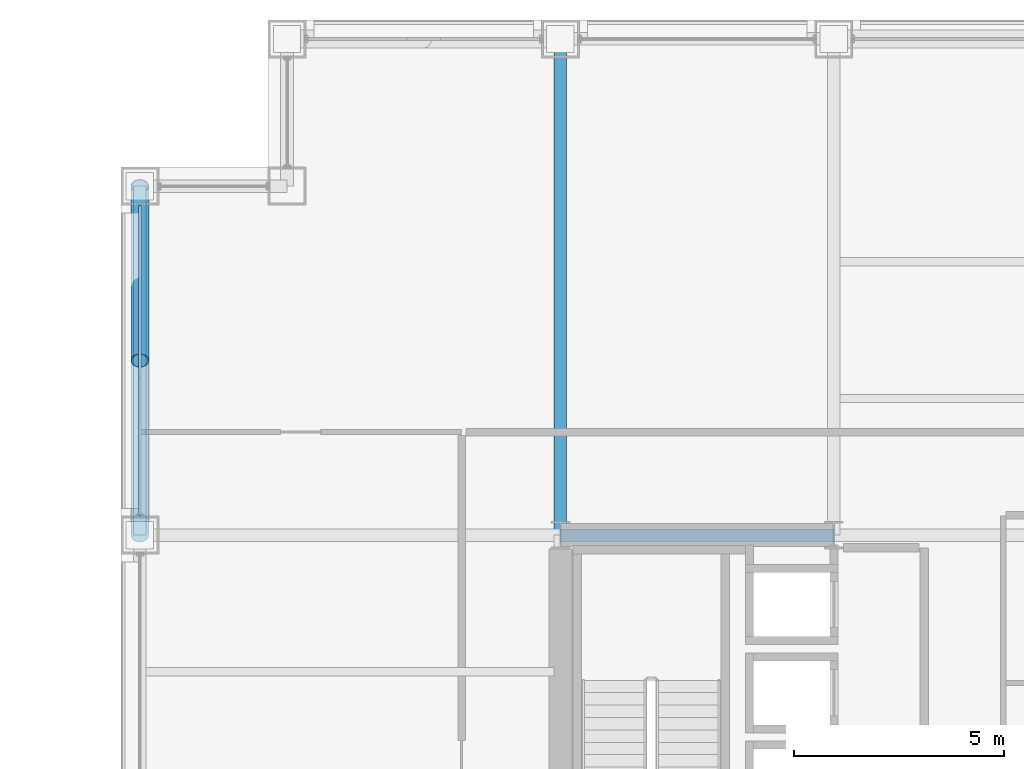
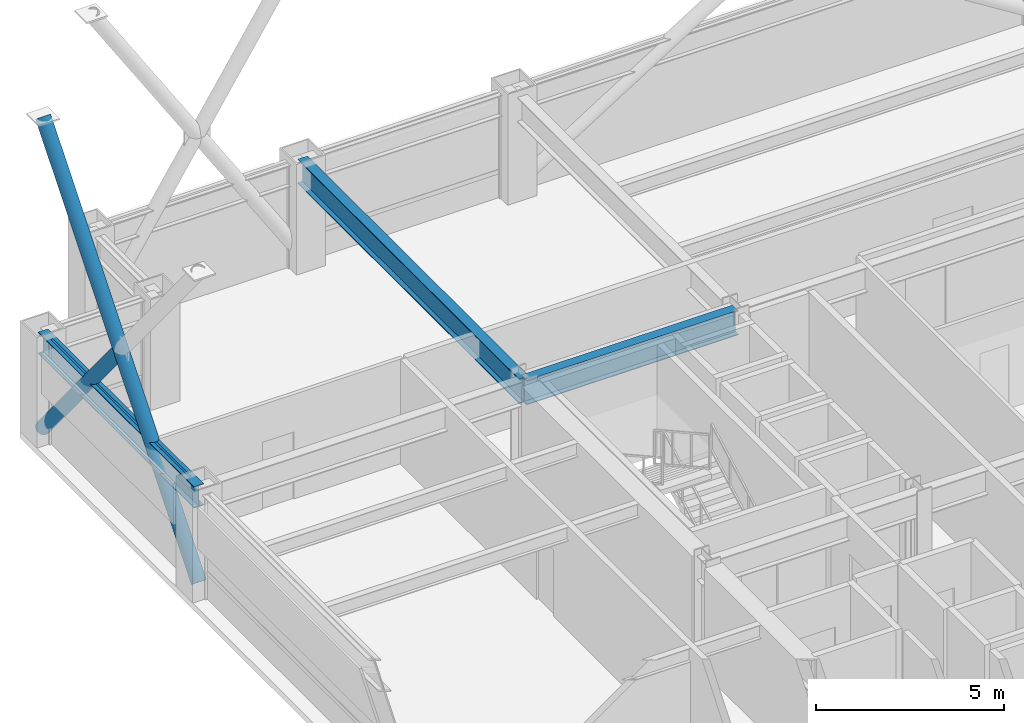
# One storey, part 15 of 30: 3 beams, 3 members, 1 element without a shape of its own.
"""IFC4 building model written with IfcOpenShell, lengths in metres."""

from ifc_helpers import new_model, si_unit, direction, frame, origin, origin_2d, place, context, subcontext, project, spatial, hollow_rectangle, hollow_circle, i_section, extrude, material, layer, layer_set, material_profile, profile_set, type_object, element, aggregate, save


model = new_model("IFC4")

# Units and contexts
model_context = context("Model", 3, precision=1e-05, world=origin(), true_north=direction((0.0, 1.0)))
body_context = subcontext(model_context, "Body", "Model", "MODEL_VIEW")
ifc_project = project(units=[si_unit("LENGTHUNIT", "METRE"), si_unit("AREAUNIT", "SQUARE_METRE"), si_unit("VOLUMEUNIT", "CUBIC_METRE"), si_unit("PLANEANGLEUNIT", "RADIAN"), si_unit("MASSUNIT", "GRAM", prefix="KILO")], contexts=[model_context])

# Site, building, storey
site_placement = place(None, origin())
site = spatial("IfcSite", under=ifc_project, at=site_placement, CompositionType="ELEMENT")
building_placement = place(site_placement, origin())
building = spatial("IfcBuilding", under=site, at=building_placement, Name="Brelmoor Portico Tower", CompositionType="ELEMENT")
storey_placement = place(building_placement, frame((0.0, 0.0, 56.39990234375)))
storey = spatial("IfcBuildingStorey", under=building, at=storey_placement, Name="L14", CompositionType="ELEMENT", Elevation=56.39990234375)

# Beams
ifc_material_1 = material(Name="Steel Q355B", Category="steel")
ifc_material_profile_1 = material_profile(ifc_material_1, i_section(OverallWidth=0.300048828125, OverallDepth=0.800048828125, WebThickness=0.013916015625, FlangeThickness=0.02587890625, at=origin_2d()), Name="HN 800x300x14x26")
ifc_profile_set_1 = profile_set([ifc_material_profile_1], Name="Steel Q355B")
beam_type_1 = type_object("IfcBeamType", Name="BM-PG-800", PredefinedType="BEAM", material=ifc_profile_set_1)
beam_1_placement = place(storey_placement, frame((-14.550048828125, 9.75, 3.0), z_axis=(0.0, 1.0, 0.0), x_axis=(-1.0, 0.0, 0.0)))
element("IfcBeam", 1, at=beam_1_placement, inside=storey, type_object=beam_type_1, Name="L14 Primary Floor Girder PG-06", PredefinedType="BEAM", context=body_context, shape_type="SweptSolid", body=[
    extrude(i_section(OverallWidth=0.300048828125, OverallDepth=0.800048828125, WebThickness=0.013916015625, FlangeThickness=0.02587890625, at=origin_2d()), origin(), (0.0, 0.0, 1.0), 11.800048828125),
])
beam_2_placement = place(storey_placement, frame((-14.550048828125, 9.75, 3.0), z_axis=(1.0, 0.0, 0.0), x_axis=(0.0, 1.0, 0.0)))
element("IfcBeam", 2, at=beam_2_placement, inside=storey, type_object=beam_type_1, Name="L14 Primary Floor Girder PG-28", PredefinedType="BEAM", context=body_context, shape_type="SweptSolid", body=[
    extrude(i_section(OverallWidth=0.300048828125, OverallDepth=0.800048828125, WebThickness=0.013916015625, FlangeThickness=0.02587890625, at=origin_2d()), origin(), (0.0, 0.0, 1.0), 6.5),
])
ifc_material_profile_2 = material_profile(ifc_material_1, i_section(OverallWidth=0.300048828125, OverallDepth=0.699951171875, WebThickness=0.012939453125, FlangeThickness=0.02392578125, at=origin_2d()), Name="HN 700x300x13x24")
ifc_profile_set_2 = profile_set([ifc_material_profile_2], Name="Steel Q355B")
beam_type_2 = type_object("IfcBeamType", Name="BM-SP-700", PredefinedType="SPANDREL", material=ifc_profile_set_2)
beam_3_placement = place(storey_placement, frame((-24.550048828125, 9.75, 3.050048828125), z_axis=(0.0, 1.0, 0.0), x_axis=(-1.0, 0.0, 0.0)))
element("IfcBeam", 3, at=beam_3_placement, inside=storey, type_object=beam_type_2, Name="L14 Perimeter Spandrel Beam SP-17", PredefinedType="SPANDREL", context=body_context, shape_type="SweptSolid", body=[
    extrude(i_section(OverallWidth=0.300048828125, OverallDepth=0.699951171875, WebThickness=0.012939453125, FlangeThickness=0.02392578125, at=origin_2d()), origin(), (0.0, 0.0, 1.0), 8.300048828125),
])

# Members
ifc_material_profile_3 = material_profile(ifc_material_1, hollow_circle(Radius=0.212890625, WallThickness=0.02001953125, at=origin_2d()), Name="CHS 426x20")
ifc_profile_set_3 = profile_set([ifc_material_profile_3], Name="Steel Q355B")
member_type_1 = type_object("IfcMemberType", Name="MB-BELT-DIAG1", PredefinedType="BRACE", material=ifc_profile_set_3)
member_1_placement = place(storey_placement, frame((-24.550048828125, 9.75, 0.25), z_axis=(0.0, 0.634901100083, 0.772593420315), x_axis=(-1.0, 0.0, 0.0)))
element("IfcMember", 4, at=member_1_placement, inside=storey, type_object=member_type_1, Name="L14 Continuous Mega-X Brace 030A", PredefinedType="BRACE", context=body_context, shape_type="SweptSolid", body=[
    extrude(hollow_circle(Radius=0.212890625, WallThickness=0.02001953125, at=origin_2d()), origin(), (0.0, 0.0, 1.0), 13.072998046875),
])
member_2_placement = place(storey_placement, frame((-24.550048828125, 18.050048828125, 0.25), z_axis=(0.0, -0.634912247128, 0.772584259771), x_axis=(1.0, 0.0, 0.0)))
element("IfcMember", 5, at=member_2_placement, inside=storey, type_object=member_type_1, Name="L14 Split Mega-X Brace 030B1", PredefinedType="BRACE", context=body_context, shape_type="SweptSolid", body=[
    extrude(hollow_circle(Radius=0.212890625, WallThickness=0.02001953125, at=origin_2d()), origin(), (0.0, 0.0, 1.0), 6.53662109375),
])

# Curtain wall, member
ifc_material_2 = material(Name="Anodised Aluminium Alloy 6063-T6", Category="aluminium")
ifc_layer = layer(ifc_material_2, 0.179931640625)
ifc_layer_set = layer_set([ifc_layer], Name="Anodised Aluminium Alloy 6063-T6")
curtain_wall_type = type_object("IfcCurtainWallType", Name="CW-TOWER-Z1-XB", PredefinedType="NOTDEFINED", material=ifc_layer_set)
curtain_wall_placement = place(storey_placement, origin())
curtain_wall = element("IfcCurtainWall", 6, at=curtain_wall_placement, inside=storey, type_object=curtain_wall_type, Name="L14 Curtain Wall CW-L14-3R-2", PredefinedType="NOTDEFINED")
ifc_material_profile_4 = material_profile(ifc_material_2, hollow_rectangle(XDim=0.06494140625, YDim=0.139892578125, WallThickness=0.00390625, at=origin_2d()), Name="ALU TRANSOM 65x140")
ifc_profile_set_4 = profile_set([ifc_material_profile_4], Name="Anodised Aluminium Alloy 6063-T6")
member_type_2 = type_object("IfcMemberType", Name="MB-CW-TRAN-140", PredefinedType="USERDEFINED", material=ifc_profile_set_4)
member_3_placement = place(storey_placement, frame((-24.550048828125, 10.2099609375, 3.330078125), z_axis=(0.0, 1.0, 0.0), x_axis=(-1.0, 0.0, 0.0)))
member_3 = element("IfcMember", 7, at=member_3_placement, type_object=member_type_2, Name="CW-L14-3R-2 Transom 1-00", ObjectType="TRANSOM", PredefinedType="USERDEFINED", context=body_context, shape_type="SweptSolid", body=[
    extrude(hollow_rectangle(XDim=0.06494140625, YDim=0.139892578125, WallThickness=0.00390625, at=origin_2d()), origin(), (0.0, 0.0, 1.0), 7.380126953125),
])
aggregate(curtain_wall, [member_3])

save(model, "model.ifc")
